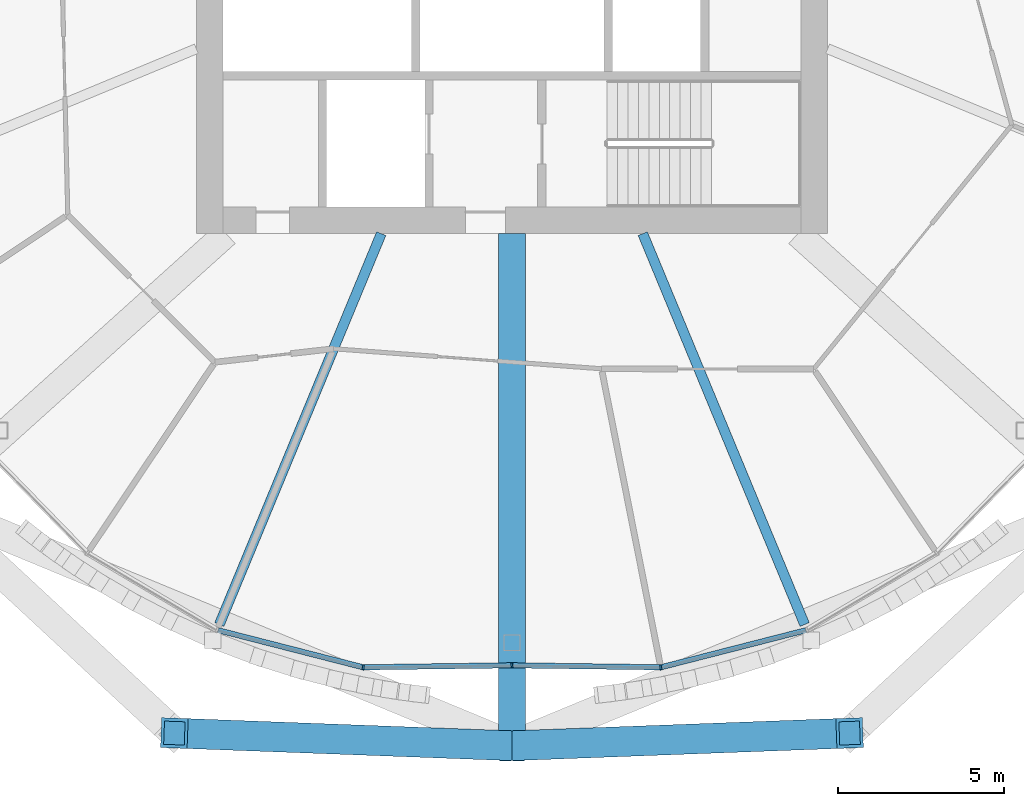
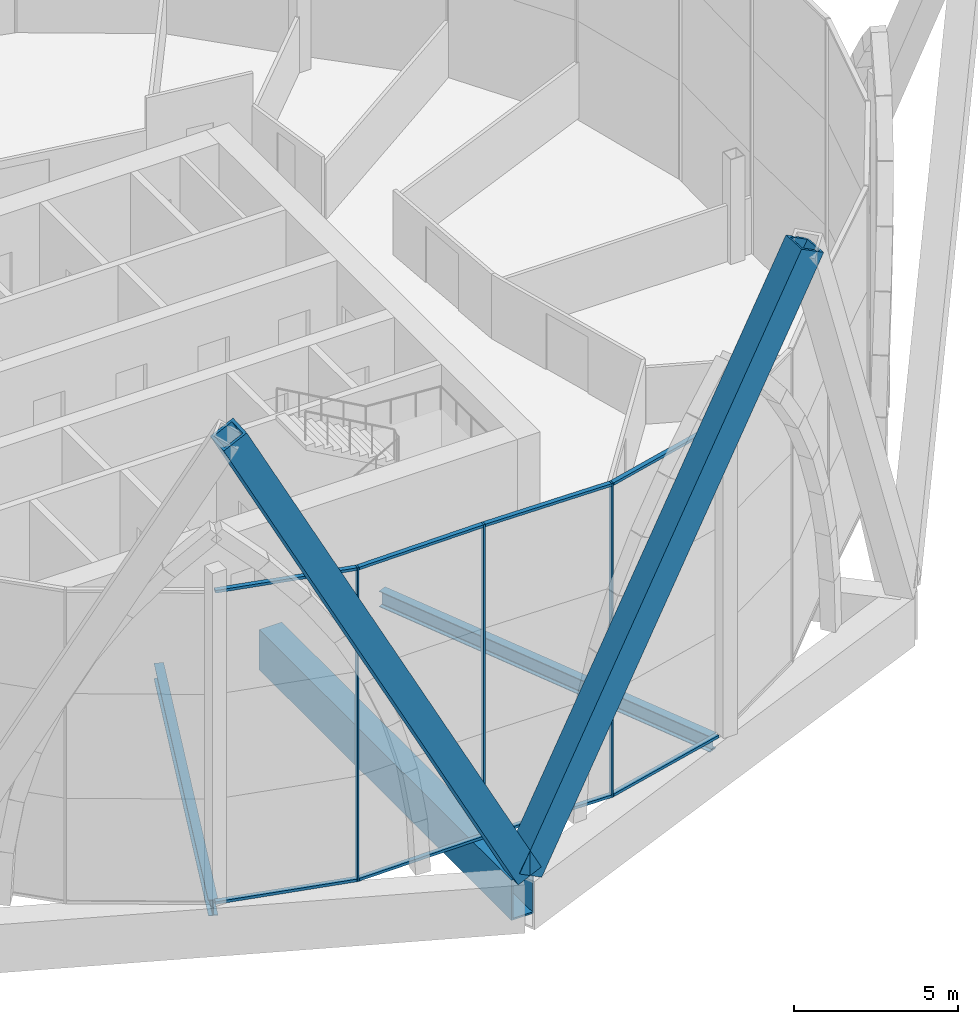
# One storey, part 5 of 37: 13 members, 3 beams, 2 elements without a shape of their own.
"""IFC4 building model written with IfcOpenShell, lengths in metres."""

from ifc_helpers import new_model, si_unit, direction, frame, origin, origin_2d, place, context, subcontext, project, spatial, rectangle, hollow_rectangle, i_section, extrude, material, material_profile, profile_set, type_object, element, aggregate, save


model = new_model("IFC4")

# Units and contexts
model_context = context("Model", 3, precision=1e-05, world=origin(), true_north=direction((0.0, 1.0)))
body_context = subcontext(model_context, "Body", "Model", "MODEL_VIEW")
ifc_project = project(units=[si_unit("LENGTHUNIT", "METRE"), si_unit("AREAUNIT", "SQUARE_METRE"), si_unit("VOLUMEUNIT", "CUBIC_METRE"), si_unit("PLANEANGLEUNIT", "RADIAN"), si_unit("MASSUNIT", "GRAM", prefix="KILO")], contexts=[model_context])

# Site, building, storey
site_placement = place(None, origin())
site = spatial("IfcSite", under=ifc_project, at=site_placement, CompositionType="ELEMENT")
building_placement = place(site_placement, origin())
building = spatial("IfcBuilding", under=site, at=building_placement, Name="Ogive Gate Towers", CompositionType="ELEMENT")
storey_placement = place(building_placement, frame((0.0, 0.0, 32.39990234375)))
storey = spatial("IfcBuildingStorey", under=building, at=storey_placement, Name="L06", CompositionType="ELEMENT", Elevation=32.39990234375)

# Members
ifc_material_1 = material(Name="Steel SM460", Category="steel")
ifc_material_profile_1 = material_profile(ifc_material_1, hollow_rectangle(XDim=0.89990234375, YDim=0.89990234375, WallThickness=0.10009765625, at=origin_2d()), Name="BX 900x900x100")
ifc_profile_set_1 = profile_set([ifc_material_profile_1], Name="Steel SM460")
member_type_1 = type_object("IfcMemberType", Name="Diagrid diagonal BX 900x900x100", PredefinedType="BRACE", material=ifc_profile_set_1)
for number, where, z_axis, x_axis, name in (
    (1, (-36.0, -24.909912109375, 0.0), (-0.462004857089, 0.017318521171, 0.886708283964), (-0.037459273404, -0.999298155125, 0.0), "T1/L06/SDG013"),
    (2, (-36.0, -24.909912109375, 0.0), (0.462004857089, 0.017318521171, 0.886708283964), (-0.037459273404, 0.999298155125, 0.0), "T1/L06/SDG014"),
):
    element("IfcMember", number, at=place(storey_placement, frame(where, z_axis=z_axis, x_axis=x_axis)), inside=storey, type_object=member_type_1, Name=name, PredefinedType="BRACE", context=body_context, shape_type="SweptSolid", body=[
        extrude(hollow_rectangle(XDim=0.89990234375, YDim=0.89990234375, WallThickness=0.10009765625, at=origin_2d()), origin(), (0.0, 0.0, 1.0), 21.991455078125),
    ])

# Beams
ifc_material_2 = material(Name="Steel SM355", Category="steel")
ifc_material_profile_2 = material_profile(ifc_material_2, i_section(OverallWidth=0.300048828125, OverallDepth=0.590087890625, WebThickness=0.012939453125, FlangeThickness=0.02490234375, FilletRadius=0.027099609375, at=origin_2d()), Name="HE 600 A")
ifc_profile_set_2 = profile_set([ifc_material_profile_2], Name="Steel SM355")
beam_type_1 = type_object("IfcBeamType", Name="Radial floor beam HE 600 A", PredefinedType="BEAM", material=ifc_profile_set_2)
for number, where, z_axis, x_axis, name in (
    (3, (-39.93505859375, -9.5, -0.594970703125), (-0.382690523214, -0.923876595354, 0.0), (0.923876595354, -0.382690523214, 0.0), "T1/L06/SBM002"),
    (4, (-32.06494140625, -9.5, -0.594970703125), (0.382690523214, -0.923876595354, 0.0), (0.923876595354, 0.382690523214, 0.0), "T1/L06/SBM004"),
):
    element("IfcBeam", number, at=place(storey_placement, frame(where, z_axis=z_axis, x_axis=x_axis)), inside=storey, type_object=beam_type_1, Name=name, PredefinedType="BEAM", context=body_context, shape_type="SweptSolid", body=[
        extrude(i_section(OverallWidth=0.300048828125, OverallDepth=0.590087890625, WebThickness=0.012939453125, FlangeThickness=0.02490234375, FilletRadius=0.027099609375, at=origin_2d()), origin(), (0.0, 0.0, 1.0), 12.731201171875),
    ])

# Curtain wall, members
ifc_material_3 = material(Name="Pale metal aluminium", Category="aluminium")
curtain_wall_type = type_object("IfcCurtainWallType", Name="Tower unitised wall, low zone", PredefinedType="NOTDEFINED", material=ifc_material_3)
curtain_wall_1_placement = place(storey_placement, origin())
curtain_wall_1 = element("IfcCurtainWall", 5, at=curtain_wall_1_placement, inside=storey, type_object=curtain_wall_type, Name="CW1 T1 ECW06", PredefinedType="NOTDEFINED")
ifc_material_profile_3 = material_profile(ifc_material_3, rectangle(XDim=0.159912109375, YDim=0.06005859375, at=origin_2d()), Name="60 x 160 aluminium box")
ifc_profile_set_3 = profile_set([ifc_material_profile_3], Name="Pale metal aluminium")
member_type_2 = type_object("IfcMemberType", Name="Tower unitised wall, low zone mullion 60 x 160", PredefinedType="MULLION", material=ifc_profile_set_3)
member_1_placement = place(storey_placement, frame((-40.47900390625, -22.550048828125, -0.2998046875), z_axis=(0.0, 0.0, 1.0), x_axis=(-0.118247992189, -0.992984094708, 0.0)))
member_1 = element("IfcMember", 6, at=member_1_placement, type_object=member_type_2, Name="CW1 mullion", PredefinedType="MULLION", context=body_context, shape_type="SweptSolid", body=[
    extrude(rectangle(XDim=0.159912109375, YDim=0.06005859375, at=origin_2d()), origin(), (0.0, 0.0, 1.0), 11.699951171875),
])
member_2_placement = place(storey_placement, frame((-36.000244140625, -22.489990234375, -0.2998046875), z_axis=(0.0, 0.0, 1.0), x_axis=(0.013386275544, -0.999910399799, 0.0)))
member_2 = element("IfcMember", 7, at=member_2_placement, type_object=member_type_2, Name="CW1 mullion", PredefinedType="MULLION", context=body_context, shape_type="SweptSolid", body=[
    extrude(rectangle(XDim=0.159912109375, YDim=0.06005859375, at=origin_2d()), origin(), (0.0, 0.0, 1.0), 11.699951171875),
])

# Curtain wall, member
curtain_wall_2_placement = place(storey_placement, origin())
curtain_wall_2 = element("IfcCurtainWall", 8, at=curtain_wall_2_placement, inside=storey, type_object=curtain_wall_type, Name="CW1 T1 ECW07", PredefinedType="NOTDEFINED")
member_3_placement = place(storey_placement, frame((-31.52099609375, -22.550048828125, -0.2998046875), z_axis=(0.0, 0.0, 1.0), x_axis=(0.118247992189, -0.992984094708, 0.0)))
member_3 = element("IfcMember", 9, at=member_3_placement, type_object=member_type_2, Name="CW1 mullion", PredefinedType="MULLION", context=body_context, shape_type="SweptSolid", body=[
    extrude(rectangle(XDim=0.159912109375, YDim=0.06005859375, at=origin_2d()), origin(), (0.0, 0.0, 1.0), 11.699951171875),
])

# Member
ifc_material_profile_4 = material_profile(ifc_material_3, rectangle(XDim=0.159912109375, YDim=0.10009765625, at=origin_2d()), Name="100 x 160 aluminium box")
ifc_profile_set_4 = profile_set([ifc_material_profile_4], Name="Pale metal aluminium")
member_type_3 = type_object("IfcMemberType", Name="Tower unitised wall, low zone transom 100 x 160", PredefinedType="USERDEFINED", material=ifc_profile_set_4)
member_4_placement = place(storey_placement, frame((-44.848388671875, -21.432373046875, 11.35009765625), z_axis=(0.968808178302, -0.24781185132, 0.0), x_axis=(0.24781185132, 0.968808178302, 0.0)))
member_4 = element("IfcMember", 10, at=member_4_placement, type_object=member_type_3, Name="CW1 transom", ObjectType="TRANSOM", PredefinedType="USERDEFINED", context=body_context, shape_type="SweptSolid", body=[
    extrude(rectangle(XDim=0.159912109375, YDim=0.10009765625, at=origin_2d()), origin(), (0.0, 0.0, 1.0), 4.482666015625),
])

member_5_placement = place(storey_placement, frame((-44.848388671875, -21.432373046875, -0.25), z_axis=(0.968808178302, -0.24781185132, 0.0), x_axis=(0.24781185132, 0.968808178302, 0.0)))
member_5 = element("IfcMember", 11, at=member_5_placement, type_object=member_type_3, Name="CW1 transom", ObjectType="TRANSOM", PredefinedType="USERDEFINED", context=body_context, shape_type="SweptSolid", body=[
    extrude(rectangle(XDim=0.159912109375, YDim=0.10009765625, at=origin_2d()), origin(), (0.0, 0.0, 1.0), 4.482666015625),
])

member_6_placement = place(storey_placement, frame((-40.45166015625, -22.549560546875, 11.35009765625), z_axis=(0.99991072997, 0.013361590097, 0.0), x_axis=(-0.013361590097, 0.99991072997, 0.0)))
member_6 = element("IfcMember", 12, at=member_6_placement, type_object=member_type_3, Name="CW1 transom", ObjectType="TRANSOM", PredefinedType="USERDEFINED", context=body_context, shape_type="SweptSolid", body=[
    extrude(rectangle(XDim=0.159912109375, YDim=0.10009765625, at=origin_2d()), origin(), (0.0, 0.0, 1.0), 4.421875),
])

member_7_placement = place(storey_placement, frame((-40.45166015625, -22.549560546875, -0.25), z_axis=(0.99991072997, 0.013361590097, 0.0), x_axis=(-0.013361590097, 0.99991072997, 0.0)))
member_7 = element("IfcMember", 13, at=member_7_placement, type_object=member_type_3, Name="CW1 transom", ObjectType="TRANSOM", PredefinedType="USERDEFINED", context=body_context, shape_type="SweptSolid", body=[
    extrude(rectangle(XDim=0.159912109375, YDim=0.10009765625, at=origin_2d()), origin(), (0.0, 0.0, 1.0), 4.421875),
])

aggregate(curtain_wall_1, [member_1, member_4, member_5, member_2, member_6, member_7])

member_8_placement = place(storey_placement, frame((-35.9697265625, -22.490478515625, 11.35009765625), z_axis=(0.99991072997, -0.013361590097, 0.0), x_axis=(0.013361590097, 0.99991072997, 0.0)))
member_8 = element("IfcMember", 14, at=member_8_placement, type_object=member_type_3, Name="CW1 transom", ObjectType="TRANSOM", PredefinedType="USERDEFINED", context=body_context, shape_type="SweptSolid", body=[
    extrude(rectangle(XDim=0.159912109375, YDim=0.10009765625, at=origin_2d()), origin(), (0.0, 0.0, 1.0), 4.421875),
])

member_9_placement = place(storey_placement, frame((-35.9697265625, -22.490478515625, -0.25), z_axis=(0.99991072997, -0.013361590097, 0.0), x_axis=(0.013361590097, 0.99991072997, 0.0)))
member_9 = element("IfcMember", 15, at=member_9_placement, type_object=member_type_3, Name="CW1 transom", ObjectType="TRANSOM", PredefinedType="USERDEFINED", context=body_context, shape_type="SweptSolid", body=[
    extrude(rectangle(XDim=0.159912109375, YDim=0.10009765625, at=origin_2d()), origin(), (0.0, 0.0, 1.0), 4.421875),
])

member_10_placement = place(storey_placement, frame((-31.494384765625, -22.543212890625, 11.35009765625), z_axis=(0.968808178302, 0.24781185132, 0.0), x_axis=(-0.24781185132, 0.968808178302, 0.0)))
member_10 = element("IfcMember", 16, at=member_10_placement, type_object=member_type_3, Name="CW1 transom", ObjectType="TRANSOM", PredefinedType="USERDEFINED", context=body_context, shape_type="SweptSolid", body=[
    extrude(rectangle(XDim=0.159912109375, YDim=0.10009765625, at=origin_2d()), origin(), (0.0, 0.0, 1.0), 4.482666015625),
])

member_11_placement = place(storey_placement, frame((-31.494384765625, -22.543212890625, -0.25), z_axis=(0.968808178302, 0.24781185132, 0.0), x_axis=(-0.24781185132, 0.968808178302, 0.0)))
member_11 = element("IfcMember", 17, at=member_11_placement, type_object=member_type_3, Name="CW1 transom", ObjectType="TRANSOM", PredefinedType="USERDEFINED", context=body_context, shape_type="SweptSolid", body=[
    extrude(rectangle(XDim=0.159912109375, YDim=0.10009765625, at=origin_2d()), origin(), (0.0, 0.0, 1.0), 4.482666015625),
])

aggregate(curtain_wall_2, [member_3, member_8, member_9, member_10, member_11])

# Beam
ifc_material_profile_5 = material_profile(ifc_material_1, hollow_rectangle(XDim=0.800048828125, YDim=1.5, WallThickness=0.06005859375, at=origin_2d()), Name="BX 1500x800x60")
ifc_profile_set_5 = profile_set([ifc_material_profile_5], Name="Steel SM460")
beam_type_2 = type_object("IfcBeamType", Name="Transfer radial beam BX 1500x800x60", PredefinedType="BEAM", material=ifc_profile_set_5)
beam_placement = place(storey_placement, frame((-36.0, -9.5, -1.0498046875), z_axis=(0.0, -1.0, 0.0), x_axis=(1.0, 0.0, 0.0)))
element("IfcBeam", 18, at=beam_placement, inside=storey, type_object=beam_type_2, Name="T1/L06/SBM003", PredefinedType="BEAM", context=body_context, shape_type="SweptSolid", body=[
    extrude(hollow_rectangle(XDim=0.800048828125, YDim=1.5, WallThickness=0.06005859375, at=origin_2d()), origin(), (0.0, 0.0, 1.0), 15.409912109375),
])

save(model, "model.ifc")
